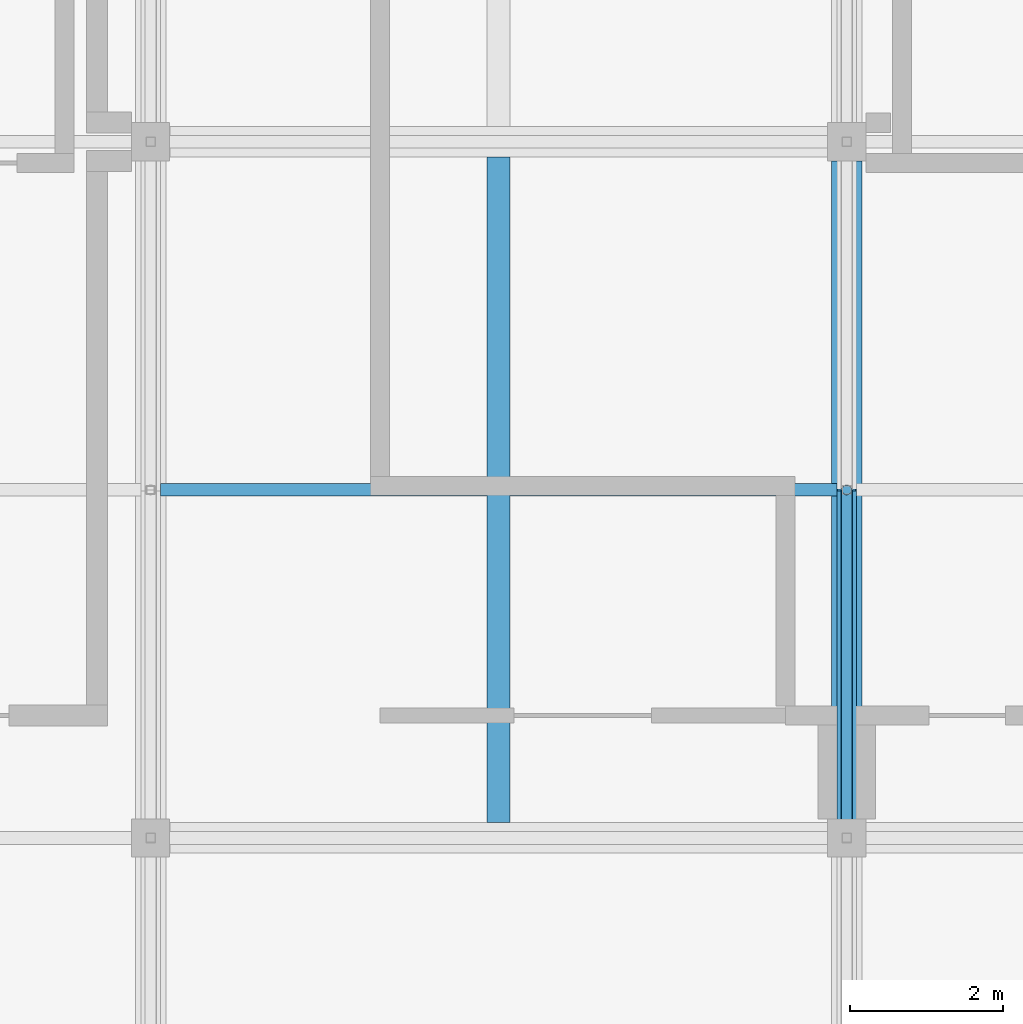
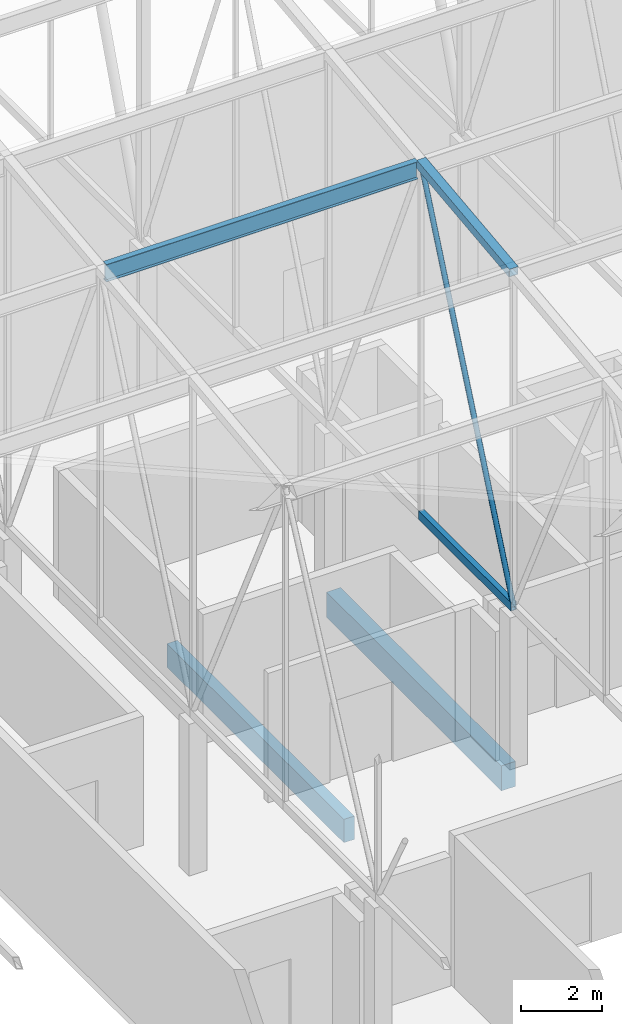
# One storey, part 127 of 500: 4 members, 2 beams.
"""IFC4 building model written with IfcOpenShell, lengths in metres."""

from ifc_helpers import new_model, si_unit, direction, frame, origin, origin_2d, place, context, subcontext, project, spatial, rectangle, hollow_rectangle, hollow_circle, i_section, extrude, material, material_profile, profile_set, type_object, element, save


model = new_model("IFC4")

# Units and contexts
model_context = context("Model", 3, precision=1e-05, world=origin(), true_north=direction((0.0, 1.0)))
body_context = subcontext(model_context, "Body", "Model", "MODEL_VIEW")
ifc_project = project(units=[si_unit("LENGTHUNIT", "METRE"), si_unit("AREAUNIT", "SQUARE_METRE"), si_unit("VOLUMEUNIT", "CUBIC_METRE"), si_unit("PLANEANGLEUNIT", "RADIAN"), si_unit("MASSUNIT", "GRAM", prefix="KILO")], contexts=[model_context])

# Site, building, storey
site_placement = place(None, origin())
site = spatial("IfcSite", under=ifc_project, at=site_placement, CompositionType="ELEMENT")
building_placement = place(site_placement, origin())
building = spatial("IfcBuilding", under=site, at=building_placement, Name="Shirokan Park Arena", CompositionType="ELEMENT")
storey_placement = place(building_placement, frame((0.0, 0.0, 29.1201171875)))
storey = spatial("IfcBuildingStorey", under=building, at=storey_placement, Name="L06", CompositionType="ELEMENT", Elevation=29.1201171875)

# Members
ifc_material_1 = material(Name="Steel ASTM A500 Grade C", Category="steel")
ifc_material_profile_1 = material_profile(ifc_material_1, hollow_rectangle(XDim=0.152099609375, YDim=0.25390625, WallThickness=0.009521484375, at=origin_2d()), Name="HSS254X152.4X9.5")
ifc_profile_set_1 = profile_set([ifc_material_profile_1], Name="Steel ASTM A500 Grade C")
member_type_1 = type_object("IfcMemberType", Name="Bottom chord HSS254X152.4X9.5", PredefinedType="CHORD", material=ifc_profile_set_1)
member_1_placement = place(storey_placement, frame((118.300048828125, 18.199951171875, 4.677001953125), z_axis=(0.0, 1.0, 0.0), x_axis=(-1.0, 0.0, 0.0)))
element("IfcMember", 1, at=member_1_placement, inside=storey, type_object=member_type_1, Name="Truss T14 bottom chord 7", PredefinedType="CHORD", context=body_context, shape_type="SweptSolid", body=[
    extrude(hollow_rectangle(XDim=0.152099609375, YDim=0.25390625, WallThickness=0.009521484375, at=origin_2d()), origin(), (0.0, 0.0, 1.0), 4.550048828125),
])
ifc_material_2 = material(Name="Steel ASTM A992", Category="steel")
ifc_material_profile_2 = material_profile(ifc_material_2, i_section(OverallWidth=0.166015625, OverallDepth=0.528076171875, WebThickness=0.009765625, FlangeThickness=0.013671875, at=origin_2d()), Name="W530X74")
ifc_profile_set_2 = profile_set([ifc_material_profile_2], Name="Steel ASTM A992")
member_type_2 = type_object("IfcMemberType", Name="Purlin W530X74", PredefinedType="PURLIN", material=ifc_profile_set_2)
member_2_placement = place(storey_placement, frame((109.326904296875, 22.75, 15.0859375), z_axis=(1.0, 0.0, 0.0), x_axis=(0.0, 1.0, 0.0)))
element("IfcMember", 2, at=member_2_placement, inside=storey, type_object=member_type_2, Name="Purlin 8 bay 13", PredefinedType="PURLIN", context=body_context, shape_type="SweptSolid", body=[
    extrude(i_section(OverallWidth=0.166015625, OverallDepth=0.528076171875, WebThickness=0.009765625, FlangeThickness=0.013671875, at=origin_2d()), origin(), (0.0, 0.0, 1.0), 8.84619140625),
])

# Beams
ifc_material_3 = material(Name="Concrete C35", Category="concrete")
ifc_material_profile_3 = material_profile(ifc_material_3, rectangle(XDim=0.39990234375, YDim=0.75, at=origin_2d()), Name="400x750")
ifc_profile_set_3 = profile_set([ifc_material_profile_3], Name="Concrete C35")
beam_type_1 = type_object("IfcBeamType", Name="RC girder 400x750", PredefinedType="BEAM", material=ifc_profile_set_3)
beam_1_placement = place(storey_placement, frame((118.300048828125, 18.4501953125, -0.5751953125), z_axis=(0.0, 1.0, 0.0), x_axis=(-1.0, 0.0, 0.0)))
element("IfcBeam", 3, at=beam_1_placement, inside=storey, type_object=beam_type_1, Name="Girder 14C-14D L06", PredefinedType="BEAM", context=body_context, shape_type="SweptSolid", body=[
    extrude(rectangle(XDim=0.39990234375, YDim=0.75, at=origin_2d()), origin(), (0.0, 0.0, 1.0), 8.599609375),
])
ifc_material_profile_4 = material_profile(ifc_material_3, rectangle(XDim=0.300048828125, YDim=0.699951171875, at=origin_2d()), Name="300x700")
ifc_profile_set_4 = profile_set([ifc_material_profile_4], Name="Concrete C35")
beam_type_2 = type_object("IfcBeamType", Name="RC joist 300x700", PredefinedType="JOIST", material=ifc_profile_set_4)
beam_2_placement = place(storey_placement, frame((113.75, 18.39990234375, -0.550048828125), z_axis=(0.0, 1.0, 0.0), x_axis=(-1.0, 0.0, 0.0)))
element("IfcBeam", 4, at=beam_2_placement, inside=storey, type_object=beam_type_2, Name="Joist 13C L06", PredefinedType="JOIST", context=body_context, shape_type="SweptSolid", body=[
    extrude(rectangle(XDim=0.300048828125, YDim=0.699951171875, at=origin_2d()), origin(), (0.0, 0.0, 1.0), 8.7001953125),
])

# Members
ifc_material_profile_5 = material_profile(ifc_material_1, hollow_rectangle(XDim=0.25390625, YDim=0.25390625, WallThickness=0.009521484375, at=origin_2d()), Name="HSS254X254X9.5")
ifc_profile_set_5 = profile_set([ifc_material_profile_5], Name="Steel ASTM A500 Grade C")
member_type_3 = type_object("IfcMemberType", Name="Top chord HSS254X254X9.5", PredefinedType="CHORD", material=ifc_profile_set_5)
member_3_placement = place(storey_placement, frame((118.300048828125, 18.199951171875, 14.702880859375), z_axis=(0.0, 0.993532328996, 0.113549598152), x_axis=(-1.0, 0.0, 0.0)))
element("IfcMember", 5, at=member_3_placement, inside=storey, type_object=member_type_3, Name="Truss T14 top chord 7", PredefinedType="CHORD", context=body_context, shape_type="SweptSolid", body=[
    extrude(hollow_rectangle(XDim=0.25390625, YDim=0.25390625, WallThickness=0.009521484375, at=origin_2d()), origin(), (0.0, 0.0, 1.0), 4.57958984375),
])
ifc_material_profile_6 = material_profile(ifc_material_1, hollow_circle(Radius=0.070556640625, WallThickness=0.006591796875, at=origin_2d()), Name="HSS141.3X6.6")
ifc_profile_set_6 = profile_set([ifc_material_profile_6], Name="Steel ASTM A500 Grade C")
member_type_4 = type_object("IfcMemberType", Name="Truss diagonal HSS141.3X6.6", PredefinedType="BRACE", material=ifc_profile_set_6)
member_4_placement = place(storey_placement, frame((118.300048828125, 18.199951171875, 4.677001953125), z_axis=(0.0, 0.396152605513, 0.918184683572), x_axis=(-1.0, 0.0, 0.0)))
element("IfcMember", 6, at=member_4_placement, inside=storey, type_object=member_type_4, Name="Truss T14 diagonal 7", PredefinedType="BRACE", context=body_context, shape_type="SweptSolid", body=[
    extrude(hollow_circle(Radius=0.070556640625, WallThickness=0.006591796875, at=origin_2d()), origin(), (0.0, 0.0, 1.0), 11.485595703125),
])

save(model, "model.ifc")
